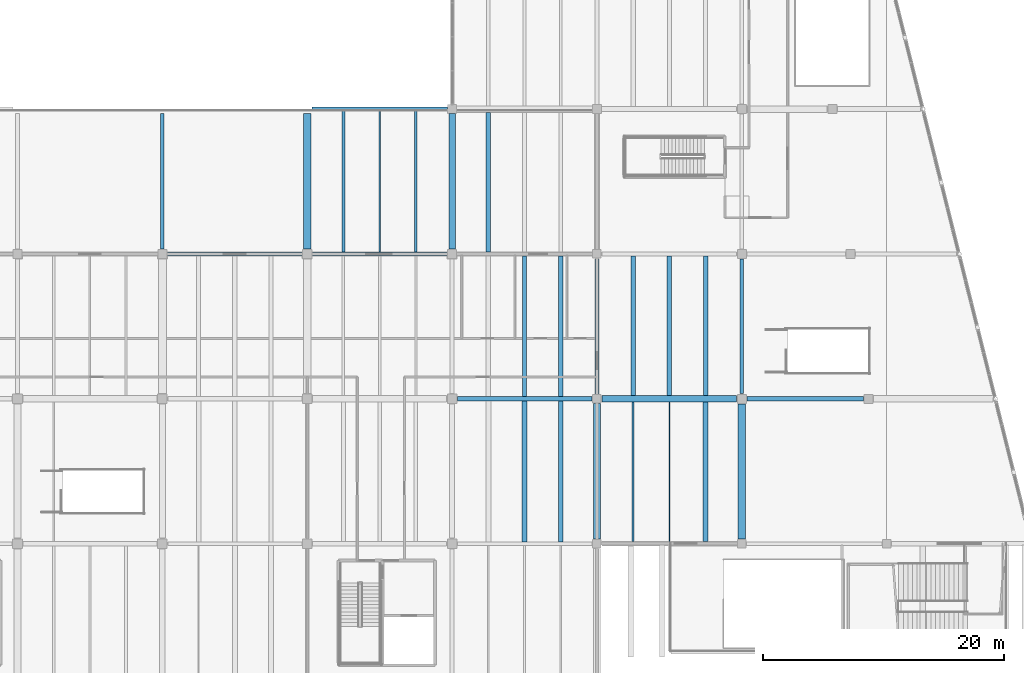
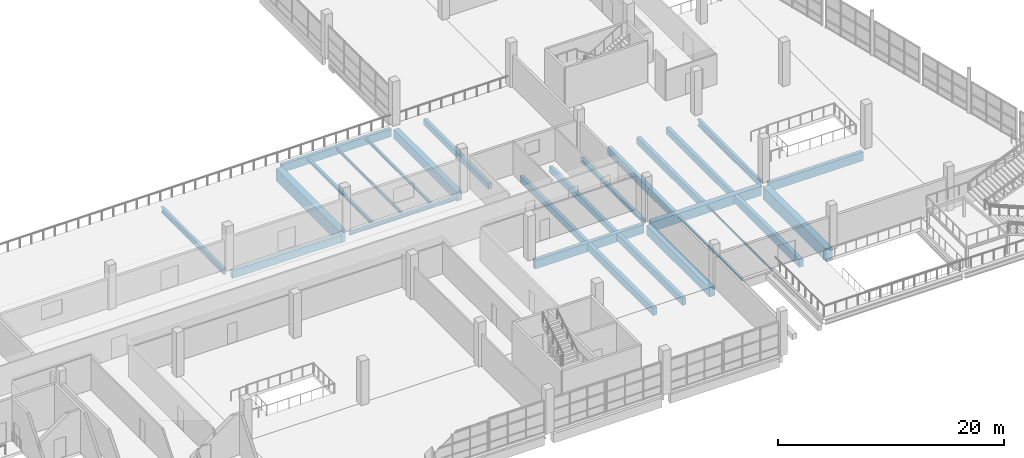
# One storey, part 36 of 112: 27 beams.
"""IFC4 building model written with IfcOpenShell, lengths in metres."""

from ifc_helpers import new_model, si_unit, direction, frame, origin, origin_2d, place, context, subcontext, project, spatial, rectangle, i_section, extrude, material, material_profile, profile_set, type_object, element, save


model = new_model("IFC4")

# Units and contexts
model_context = context("Model", 3, precision=1e-05, world=origin(), true_north=direction((0.0, 1.0)))
body_context = subcontext(model_context, "Body", "Model", "MODEL_VIEW")
ifc_project = project(units=[si_unit("LENGTHUNIT", "METRE"), si_unit("AREAUNIT", "SQUARE_METRE"), si_unit("VOLUMEUNIT", "CUBIC_METRE"), si_unit("PLANEANGLEUNIT", "RADIAN"), si_unit("MASSUNIT", "GRAM", prefix="KILO")], contexts=[model_context])

# Site, building, storey
site_placement = place(None, origin())
site = spatial("IfcSite", under=ifc_project, at=site_placement, CompositionType="ELEMENT")
building_placement = place(site_placement, origin())
building = spatial("IfcBuilding", under=site, at=building_placement, Name="Kamomehara Wholesale Market", CompositionType="ELEMENT")
storey_placement = place(building_placement, frame((0.0, 0.0, 6.60009765625)))
storey = spatial("IfcBuildingStorey", under=building, at=storey_placement, Name="L01", CompositionType="ELEMENT", Elevation=6.60009765625)

# Beams
ifc_material_1 = material(Name="Precast concrete Fc45 (C40/50)", Category="concrete")
ifc_material_profile_1 = material_profile(ifc_material_1, rectangle(XDim=0.64990234375, YDim=1.35009765625, at=origin_2d()), Name="PC-GRD-650x1350")
ifc_profile_set_1 = profile_set([ifc_material_profile_1], Name="Precast concrete Fc45 (C40/50)")
beam_type_1 = type_object("IfcBeamType", Name="BM-PG1350", PredefinedType="T_BEAM", material=ifc_profile_set_1)
beam_1_placement = place(storey_placement, frame((180.0, 24.39990234375, -1.027099609375), z_axis=(0.0, 1.0, 0.0), x_axis=(-1.0, 0.0, 0.0)))
element("IfcBeam", 1, at=beam_1_placement, inside=storey, type_object=beam_type_1, Name="Beam PG-03 L01", PredefinedType="T_BEAM", context=body_context, shape_type="SweptSolid", body=[
    extrude(rectangle(XDim=0.64990234375, YDim=1.35009765625, at=origin_2d()), origin(), (0.0, 0.0, 1.0), 11.175048828125),
])
beam_2_placement = place(storey_placement, frame((144.0, 48.425048828125, -1.022216796875), z_axis=(0.0, 1.0, 0.0), x_axis=(-1.0, 0.0, 0.0)))
element("IfcBeam", 2, at=beam_2_placement, inside=storey, type_object=beam_type_1, Name="Beam PG-03 L01", PredefinedType="T_BEAM", context=body_context, shape_type="SweptSolid", body=[
    extrude(rectangle(XDim=0.64990234375, YDim=1.35009765625, at=origin_2d()), origin(), (0.0, 0.0, 1.0), 11.199951171875),
])
ifc_material_2 = material(Name="Precast concrete Fc45 (C40/50)", Category="concrete")
ifc_material_profile_2 = material_profile(ifc_material_2, rectangle(XDim=0.35009765625, YDim=0.64990234375, at=origin_2d()), Name="PC-JST-350x650")
ifc_profile_set_2 = profile_set([ifc_material_profile_2], Name="Precast concrete Fc45 (C40/50)")
beam_type_2 = type_object("IfcBeamType", Name="BM-PJ650", PredefinedType="JOIST", material=ifc_profile_set_2)
beam_3_placement = place(storey_placement, frame((159.0, 48.175048828125, -0.672119140625), z_axis=(0.0, 1.0, 0.0), x_axis=(-1.0, 0.0, 0.0)))
element("IfcBeam", 3, at=beam_3_placement, inside=storey, type_object=beam_type_2, Name="Beam PJ-04 L01", PredefinedType="JOIST", context=body_context, shape_type="SweptSolid", body=[
    extrude(rectangle(XDim=0.35009765625, YDim=0.64990234375, at=origin_2d()), origin(), (0.0, 0.0, 1.0), 11.550048828125),
])
ifc_material_3 = material(Name="Precast concrete Fc45 (C40/50)", Category="concrete")
ifc_material_profile_3 = material_profile(ifc_material_3, rectangle(XDim=0.340087890625, YDim=0.679931640625, at=origin_2d()), Name="PC-JST-340x680")
ifc_profile_set_3 = profile_set([ifc_material_profile_3], Name="Precast concrete Fc45 (C40/50)")
beam_type_3 = type_object("IfcBeamType", Name="BM-PJ680", PredefinedType="JOIST", material=ifc_profile_set_3)
beam_4_placement = place(storey_placement, frame((165.0, 36.199951171875, -0.68212890625), z_axis=(0.0, 1.0, 0.0), x_axis=(-1.0, 0.0, 0.0)))
element("IfcBeam", 4, at=beam_4_placement, inside=storey, type_object=beam_type_3, Name="Beam PJ-09 L01", PredefinedType="JOIST", context=body_context, shape_type="SweptSolid", body=[
    extrude(rectangle(XDim=0.340087890625, YDim=0.679931640625, at=origin_2d()), origin(), (0.0, 0.0, 1.0), 11.625),
])
ifc_material_4 = material(Name="Precast concrete Fc45 (C40/50)", Category="concrete")
ifc_material_profile_4 = material_profile(ifc_material_4, rectangle(XDim=0.35009765625, YDim=0.699951171875, at=origin_2d()), Name="PC-JST-350x700")
ifc_profile_set_4 = profile_set([ifc_material_profile_4], Name="Precast concrete Fc45 (C40/50)")
beam_type_4 = type_object("IfcBeamType", Name="BM-PJ700", PredefinedType="JOIST", material=ifc_profile_set_4)
beam_5_placement = place(storey_placement, frame((162.0, 36.199951171875, -0.692138671875), z_axis=(0.0, 1.0, 0.0), x_axis=(-1.0, 0.0, 0.0)))
element("IfcBeam", 5, at=beam_5_placement, inside=storey, type_object=beam_type_4, Name="Beam PJ-03 L01", PredefinedType="JOIST", context=body_context, shape_type="SweptSolid", body=[
    extrude(rectangle(XDim=0.35009765625, YDim=0.699951171875, at=origin_2d()), origin(), (0.0, 0.0, 1.0), 11.625),
])
ifc_material_5 = material(Name="Precast concrete Fc45 (C40/50)", Category="concrete")
ifc_material_profile_5 = material_profile(ifc_material_5, rectangle(XDim=0.360107421875, YDim=0.719970703125, at=origin_2d()), Name="PC-JST-360x720")
ifc_profile_set_5 = profile_set([ifc_material_profile_5], Name="Precast concrete Fc45 (C40/50)")
beam_type_5 = type_object("IfcBeamType", Name="BM-PJ720", PredefinedType="JOIST", material=ifc_profile_set_5)
beam_6_placement = place(storey_placement, frame((177.0, 36.27490234375, -0.712158203125), z_axis=(0.0, 1.0, 0.0), x_axis=(-1.0, 0.0, 0.0)))
element("IfcBeam", 6, at=beam_6_placement, inside=storey, type_object=beam_type_5, Name="Beam PJ-08 L01", PredefinedType="JOIST", context=body_context, shape_type="SweptSolid", body=[
    extrude(rectangle(XDim=0.360107421875, YDim=0.719970703125, at=origin_2d()), origin(), (0.0, 0.0, 1.0), 11.5751953125),
])
ifc_material_6 = material(Name="Precast concrete Fc45 (C40/50)", Category="concrete")
ifc_material_profile_6 = material_profile(ifc_material_6, rectangle(XDim=0.3798828125, YDim=0.75, at=origin_2d()), Name="PC-JST-380x750")
ifc_profile_set_6 = profile_set([ifc_material_profile_6], Name="Precast concrete Fc45 (C40/50)")
beam_type_6 = type_object("IfcBeamType", Name="BM-PJ750", PredefinedType="JOIST", material=ifc_profile_set_6)
beam_7_placement = place(storey_placement, frame((165.0, 24.14990234375, -0.717041015625), z_axis=(0.0, 1.0, 0.0), x_axis=(-1.0, 0.0, 0.0)))
element("IfcBeam", 7, at=beam_7_placement, inside=storey, type_object=beam_type_6, Name="Beam PJ-02 L01", PredefinedType="JOIST", context=body_context, shape_type="SweptSolid", body=[
    extrude(rectangle(XDim=0.3798828125, YDim=0.75, at=origin_2d()), origin(), (0.0, 0.0, 1.0), 11.650146484375),
])
beam_8_placement = place(storey_placement, frame((174.0, 36.27490234375, -0.72705078125), z_axis=(0.0, 1.0, 0.0), x_axis=(-1.0, 0.0, 0.0)))
element("IfcBeam", 8, at=beam_8_placement, inside=storey, type_object=beam_type_6, Name="Beam PJ-02 L01", PredefinedType="JOIST", context=body_context, shape_type="SweptSolid", body=[
    extrude(rectangle(XDim=0.3798828125, YDim=0.75, at=origin_2d()), origin(), (0.0, 0.0, 1.0), 11.5751953125),
])
ifc_material_7 = material(Name="Precast concrete Fc45 (C40/50)", Category="concrete")
ifc_material_profile_7 = material_profile(ifc_material_7, rectangle(XDim=0.39990234375, YDim=0.800048828125, at=origin_2d()), Name="PC-JST-400x800")
ifc_profile_set_7 = profile_set([ifc_material_profile_7], Name="Precast concrete Fc45 (C40/50)")
beam_type_7 = type_object("IfcBeamType", Name="BM-PJ800", PredefinedType="JOIST", material=ifc_profile_set_7)
beam_9_placement = place(storey_placement, frame((162.0, 24.14990234375, -0.7421875), z_axis=(0.0, 1.0, 0.0), x_axis=(-1.0, 0.0, 0.0)))
element("IfcBeam", 9, at=beam_9_placement, inside=storey, type_object=beam_type_7, Name="Beam PJ-01 L01", PredefinedType="JOIST", context=body_context, shape_type="SweptSolid", body=[
    extrude(rectangle(XDim=0.39990234375, YDim=0.800048828125, at=origin_2d()), origin(), (0.0, 0.0, 1.0), 11.650146484375),
])
beam_10_placement = place(storey_placement, frame((171.0, 36.27490234375, -0.752197265625), z_axis=(0.0, 1.0, 0.0), x_axis=(-1.0, 0.0, 0.0)))
element("IfcBeam", 10, at=beam_10_placement, inside=storey, type_object=beam_type_7, Name="Beam PJ-01 L01", PredefinedType="JOIST", context=body_context, shape_type="SweptSolid", body=[
    extrude(rectangle(XDim=0.39990234375, YDim=0.800048828125, at=origin_2d()), origin(), (0.0, 0.0, 1.0), 11.5751953125),
])
ifc_material_8 = material(Name="Precast concrete Fc45 (C40/50)", Category="concrete")
ifc_material_profile_8 = material_profile(ifc_material_8, rectangle(XDim=0.419921875, YDim=0.840087890625, at=origin_2d()), Name="PC-JST-420x840")
ifc_profile_set_8 = profile_set([ifc_material_profile_8], Name="Precast concrete Fc45 (C40/50)")
beam_type_8 = type_object("IfcBeamType", Name="BM-PJ840", PredefinedType="JOIST", material=ifc_profile_set_8)
beam_11_placement = place(storey_placement, frame((177.0, 24.175048828125, -0.772216796875), z_axis=(0.0, 1.0, 0.0), x_axis=(-1.0, 0.0, 0.0)))
element("IfcBeam", 11, at=beam_11_placement, inside=storey, type_object=beam_type_8, Name="Beam PJ-07 L01", PredefinedType="JOIST", context=body_context, shape_type="SweptSolid", body=[
    extrude(rectangle(XDim=0.419921875, YDim=0.840087890625, at=origin_2d()), origin(), (0.0, 0.0, 1.0), 11.550048828125),
])
ifc_material_9 = material(Name="Concrete Fc36 (C35/45)", Category="concrete")
ifc_material_profile_9 = material_profile(ifc_material_9, rectangle(XDim=0.550048828125, YDim=1.0, at=origin_2d()), Name="RC-SEB-550x1000")
ifc_profile_set_9 = profile_set([ifc_material_profile_9], Name="Concrete Fc36 (C35/45)")
beam_type_9 = type_object("IfcBeamType", Name="BM-SEB1000-EXT", PredefinedType="SPANDREL", material=ifc_profile_set_9)
beam_12_placement = place(storey_placement, frame((168.0, 24.39990234375, -0.85205078125), z_axis=(0.0, 1.0, 0.0), x_axis=(-1.0, 0.0, 0.0)))
element("IfcBeam", 12, at=beam_12_placement, inside=storey, type_object=beam_type_9, Name="Beam SEB-03E L01", PredefinedType="SPANDREL", context=body_context, shape_type="SweptSolid", body=[
    extrude(rectangle(XDim=0.550048828125, YDim=1.0, at=origin_2d()), origin(), (0.0, 0.0, 1.0), 11.2001953125),
])
beam_13_placement = place(storey_placement, frame((168.39990234375, 36.0, -0.85205078125), z_axis=(1.0, 0.0, 0.0), x_axis=(0.0, 1.0, 0.0)))
element("IfcBeam", 13, at=beam_13_placement, inside=storey, type_object=beam_type_9, Name="Beam SEB-03E L01", PredefinedType="SPANDREL", context=body_context, shape_type="SweptSolid", body=[
    extrude(rectangle(XDim=0.550048828125, YDim=1.0, at=origin_2d()), origin(), (0.0, 0.0, 1.0), 11.175048828125),
])
beam_14_placement = place(storey_placement, frame((156.0, 48.425048828125, -0.84716796875), z_axis=(0.0, 1.0, 0.0), x_axis=(-1.0, 0.0, 0.0)))
element("IfcBeam", 14, at=beam_14_placement, inside=storey, type_object=beam_type_9, Name="Beam SEB-03E L01", PredefinedType="SPANDREL", context=body_context, shape_type="SweptSolid", body=[
    extrude(rectangle(XDim=0.550048828125, YDim=1.0, at=origin_2d()), origin(), (0.0, 0.0, 1.0), 11.199951171875),
])
ifc_material_10 = material(Name="Precast concrete Fc45 (C40/50)", Category="concrete")
ifc_material_profile_10 = material_profile(ifc_material_10, rectangle(XDim=0.35009765625, YDim=0.85009765625, at=origin_2d()), Name="PC-SPN-350x850")
ifc_profile_set_10 = profile_set([ifc_material_profile_10], Name="Precast concrete Fc45 (C40/50)")
beam_type_10 = type_object("IfcBeamType", Name="BM-SPN850-EXT", PredefinedType="SPANDREL", material=ifc_profile_set_10)
beam_15_placement = place(storey_placement, frame((132.425048828125, 48.0, -0.772216796875), z_axis=(1.0, 0.0, 0.0), x_axis=(0.0, 1.0, 0.0)))
element("IfcBeam", 15, at=beam_15_placement, inside=storey, type_object=beam_type_10, Name="Beam SPN-02E L01", PredefinedType="SPANDREL", context=body_context, shape_type="SweptSolid", body=[
    extrude(rectangle(XDim=0.35009765625, YDim=0.85009765625, at=origin_2d()), origin(), (0.0, 0.0, 1.0), 11.14990234375),
])
beam_16_placement = place(storey_placement, frame((144.375, 60.0, -0.772216796875), z_axis=(1.0, 0.0, 0.0), x_axis=(0.0, 1.0, 0.0)))
element("IfcBeam", 16, at=beam_16_placement, inside=storey, type_object=beam_type_10, Name="Beam SPN-02E L01", PredefinedType="SPANDREL", context=body_context, shape_type="SweptSolid", body=[
    extrude(rectangle(XDim=0.35009765625, YDim=0.85009765625, at=origin_2d()), origin(), (0.0, 0.0, 1.0), 11.25),
])
ifc_material_11 = material(Name="Precast concrete Fc45 (C40/50)", Category="concrete")
ifc_material_profile_11 = material_profile(ifc_material_11, rectangle(XDim=0.39990234375, YDim=0.949951171875, at=origin_2d()), Name="PC-SPN-400x950")
ifc_profile_set_11 = profile_set([ifc_material_profile_11], Name="Precast concrete Fc45 (C40/50)")
beam_type_11 = type_object("IfcBeamType", Name="BM-SPN950-EXT", PredefinedType="SPANDREL", material=ifc_profile_set_11)
beam_17_placement = place(storey_placement, frame((156.449951171875, 36.0, -0.817138671875), z_axis=(1.0, 0.0, 0.0), x_axis=(0.0, 1.0, 0.0)))
element("IfcBeam", 17, at=beam_17_placement, inside=storey, type_object=beam_type_11, Name="Beam SPN-01E L01", PredefinedType="SPANDREL", context=body_context, shape_type="SweptSolid", body=[
    extrude(rectangle(XDim=0.39990234375, YDim=0.949951171875, at=origin_2d()), origin(), (0.0, 0.0, 1.0), 11.150146484375),
])
beam_18_placement = place(storey_placement, frame((180.425048828125, 36.0, -0.8271484375), z_axis=(1.0, 0.0, 0.0), x_axis=(0.0, 1.0, 0.0)))
element("IfcBeam", 18, at=beam_18_placement, inside=storey, type_object=beam_type_11, Name="Beam SPN-01E L01", PredefinedType="SPANDREL", context=body_context, shape_type="SweptSolid", body=[
    extrude(rectangle(XDim=0.39990234375, YDim=0.949951171875, at=origin_2d()), origin(), (0.0, 0.0, 1.0), 9.64990234375),
])
ifc_material_12 = material(Name="Steel SN400B", Category="steel")
ifc_material_profile_12 = material_profile(ifc_material_12, i_section(OverallWidth=0.10009765625, OverallDepth=0.199951171875, WebThickness=0.005615234375, FlangeThickness=0.008056640625, FilletRadius=0.008056640625, at=origin_2d()), Name="H-200x100x5.5x8")
ifc_profile_set_12 = profile_set([ifc_material_profile_12], Name="Steel SN400B")
beam_type_12 = type_object("IfcBeamType", Name="BM-ST-H200", PredefinedType="LINTEL", material=ifc_profile_set_12)
beam_19_placement = place(storey_placement, frame((174.0, 24.175048828125, -0.4521484375), z_axis=(0.0, 1.0, 0.0), x_axis=(-1.0, 0.0, 0.0)))
element("IfcBeam", 19, at=beam_19_placement, inside=storey, type_object=beam_type_12, Name="Beam SJ-07 L01", PredefinedType="LINTEL", context=body_context, shape_type="SweptSolid", body=[
    extrude(i_section(OverallWidth=0.10009765625, OverallDepth=0.199951171875, WebThickness=0.005615234375, FlangeThickness=0.008056640625, FilletRadius=0.008056640625, at=origin_2d()), origin(), (0.0, 0.0, 1.0), 11.550048828125),
])
ifc_material_13 = material(Name="Steel SN400B", Category="steel")
ifc_material_profile_13 = material_profile(ifc_material_13, i_section(OverallWidth=0.175048828125, OverallDepth=0.243896484375, WebThickness=0.007080078125, FlangeThickness=0.010986328125, FilletRadius=0.010986328125, at=origin_2d()), Name="H-244x175x7x11")
ifc_profile_set_13 = profile_set([ifc_material_profile_13], Name="Steel SN400B")
beam_type_13 = type_object("IfcBeamType", Name="BM-ST-H244", PredefinedType="JOIST", material=ifc_profile_set_13)
beam_20_placement = place(storey_placement, frame((171.0, 24.175048828125, -0.47412109375), z_axis=(0.0, 1.0, 0.0), x_axis=(-1.0, 0.0, 0.0)))
element("IfcBeam", 20, at=beam_20_placement, inside=storey, type_object=beam_type_13, Name="Beam SJ-10 L01", PredefinedType="JOIST", context=body_context, shape_type="SweptSolid", body=[
    extrude(i_section(OverallWidth=0.175048828125, OverallDepth=0.243896484375, WebThickness=0.007080078125, FlangeThickness=0.010986328125, FilletRadius=0.010986328125, at=origin_2d()), origin(), (0.0, 0.0, 1.0), 11.550048828125),
])
ifc_material_14 = material(Name="Steel SN400B", Category="steel")
ifc_material_profile_14 = material_profile(ifc_material_14, i_section(OverallWidth=0.199951171875, OverallDepth=0.2939453125, WebThickness=0.008056640625, FlangeThickness=0.011962890625, FilletRadius=0.012939453125, at=origin_2d()), Name="H-294x200x8x12")
ifc_profile_set_14 = profile_set([ifc_material_profile_14], Name="Steel SN400B")
beam_type_14 = type_object("IfcBeamType", Name="BM-ST-H294", PredefinedType="JOIST", material=ifc_profile_set_14)
beam_21_placement = place(storey_placement, frame((153.0, 48.14990234375, -0.494140625), z_axis=(0.0, 1.0, 0.0), x_axis=(-1.0, 0.0, 0.0)))
element("IfcBeam", 21, at=beam_21_placement, inside=storey, type_object=beam_type_14, Name="Beam SJ-09 L01", PredefinedType="JOIST", context=body_context, shape_type="SweptSolid", body=[
    extrude(i_section(OverallWidth=0.199951171875, OverallDepth=0.2939453125, WebThickness=0.008056640625, FlangeThickness=0.011962890625, FilletRadius=0.012939453125, at=origin_2d()), origin(), (0.0, 0.0, 1.0), 11.675048828125),
])
ifc_material_15 = material(Name="Steel SN400B", Category="steel")
ifc_material_profile_15 = material_profile(ifc_material_15, i_section(OverallWidth=0.14990234375, OverallDepth=0.300048828125, WebThickness=0.006591796875, FlangeThickness=0.009033203125, FilletRadius=0.012939453125, at=origin_2d()), Name="H-300x150x6.5x9")
ifc_profile_set_15 = profile_set([ifc_material_profile_15], Name="Steel SN400B")
beam_type_15 = type_object("IfcBeamType", Name="BM-ST-H300", PredefinedType="JOIST", material=ifc_profile_set_15)
beam_22_placement = place(storey_placement, frame((150.0, 48.14990234375, -0.4970703125), z_axis=(0.0, 1.0, 0.0), x_axis=(-1.0, 0.0, 0.0)))
element("IfcBeam", 22, at=beam_22_placement, inside=storey, type_object=beam_type_15, Name="Beam SJ-05 L01", PredefinedType="JOIST", context=body_context, shape_type="SweptSolid", body=[
    extrude(i_section(OverallWidth=0.14990234375, OverallDepth=0.300048828125, WebThickness=0.006591796875, FlangeThickness=0.009033203125, FilletRadius=0.012939453125, at=origin_2d()), origin(), (0.0, 0.0, 1.0), 11.675048828125),
])
ifc_material_16 = material(Name="Steel SN490B", Category="steel")
ifc_material_profile_16 = material_profile(ifc_material_16, i_section(OverallWidth=0.25, OverallDepth=0.340087890625, WebThickness=0.009033203125, FlangeThickness=0.013916015625, FilletRadius=0.012939453125, at=origin_2d()), Name="H-340x250x9x14")
ifc_profile_set_16 = profile_set([ifc_material_profile_16], Name="Steel SN490B")
beam_type_16 = type_object("IfcBeamType", Name="BM-ST-H340", PredefinedType="JOIST", material=ifc_profile_set_16)
beam_23_placement = place(storey_placement, frame((147.0, 48.14990234375, -0.51708984375), z_axis=(0.0, 1.0, 0.0), x_axis=(-1.0, 0.0, 0.0)))
element("IfcBeam", 23, at=beam_23_placement, inside=storey, type_object=beam_type_16, Name="Beam SJ-08 L01", PredefinedType="JOIST", context=body_context, shape_type="SweptSolid", body=[
    extrude(i_section(OverallWidth=0.25, OverallDepth=0.340087890625, WebThickness=0.009033203125, FlangeThickness=0.013916015625, FilletRadius=0.012939453125, at=origin_2d()), origin(), (0.0, 0.0, 1.0), 11.675048828125),
])
ifc_material_17 = material(Name="Steel SN490B", Category="steel")
ifc_material_profile_17 = material_profile(ifc_material_17, i_section(OverallWidth=0.300048828125, OverallDepth=0.389892578125, WebThickness=0.010009765625, FlangeThickness=0.01611328125, FilletRadius=0.01806640625, at=origin_2d()), Name="H-390x300x10x16")
ifc_profile_set_17 = profile_set([ifc_material_profile_17], Name="Steel SN490B")
beam_type_17 = type_object("IfcBeamType", Name="BM-ST-H390-EXT", PredefinedType="SPANDREL", material=ifc_profile_set_17)
beam_24_placement = place(storey_placement, frame((168.0, 36.39990234375, -0.547119140625), z_axis=(0.0, 1.0, 0.0), x_axis=(-1.0, 0.0, 0.0)))
element("IfcBeam", 24, at=beam_24_placement, inside=storey, type_object=beam_type_17, Name="Beam SJ-03E L01", PredefinedType="SPANDREL", context=body_context, shape_type="SweptSolid", body=[
    extrude(i_section(OverallWidth=0.300048828125, OverallDepth=0.389892578125, WebThickness=0.010009765625, FlangeThickness=0.01611328125, FilletRadius=0.01806640625, at=origin_2d()), origin(), (0.0, 0.0, 1.0), 11.2001953125),
])
beam_25_placement = place(storey_placement, frame((144.425048828125, 48.0, -0.5419921875), z_axis=(1.0, 0.0, 0.0), x_axis=(0.0, 1.0, 0.0)))
element("IfcBeam", 25, at=beam_25_placement, inside=storey, type_object=beam_type_17, Name="Beam SJ-03E L01", PredefinedType="SPANDREL", context=body_context, shape_type="SweptSolid", body=[
    extrude(i_section(OverallWidth=0.300048828125, OverallDepth=0.389892578125, WebThickness=0.010009765625, FlangeThickness=0.01611328125, FilletRadius=0.01806640625, at=origin_2d()), origin(), (0.0, 0.0, 1.0), 11.14990234375),
])
ifc_material_18 = material(Name="Steel SN490B", Category="steel")
ifc_material_profile_18 = material_profile(ifc_material_18, i_section(OverallWidth=0.300048828125, OverallDepth=0.58203125, WebThickness=0.011962890625, FlangeThickness=0.01708984375, FilletRadius=0.02197265625, at=origin_2d()), Name="H-582x300x12x17")
ifc_profile_set_18 = profile_set([ifc_material_profile_18], Name="Steel SN490B")
beam_type_18 = type_object("IfcBeamType", Name="BM-ST-H582", PredefinedType="BEAM", material=ifc_profile_set_18)
beam_26_placement = place(storey_placement, frame((132.0, 48.425048828125, -0.63818359375), z_axis=(0.0, 1.0, 0.0), x_axis=(-1.0, 0.0, 0.0)))
element("IfcBeam", 26, at=beam_26_placement, inside=storey, type_object=beam_type_18, Name="Beam SG-10 L01", PredefinedType="BEAM", context=body_context, shape_type="SweptSolid", body=[
    extrude(i_section(OverallWidth=0.300048828125, OverallDepth=0.58203125, WebThickness=0.011962890625, FlangeThickness=0.01708984375, FilletRadius=0.02197265625, at=origin_2d()), origin(), (0.0, 0.0, 1.0), 11.199951171875),
])
ifc_material_19 = material(Name="Steel SN490B", Category="steel")
ifc_material_profile_19 = material_profile(ifc_material_19, i_section(OverallWidth=0.300048828125, OverallDepth=0.699951171875, WebThickness=0.012939453125, FlangeThickness=0.02392578125, FilletRadius=0.02197265625, at=origin_2d()), Name="H-700x300x13x24")
ifc_profile_set_19 = profile_set([ifc_material_profile_19], Name="Steel SN490B")
beam_type_19 = type_object("IfcBeamType", Name="BM-ST-H700", PredefinedType="BEAM", material=ifc_profile_set_19)
beam_27_placement = place(storey_placement, frame((180.0, 36.425048828125, -0.7021484375), z_axis=(0.0, 1.0, 0.0), x_axis=(-1.0, 0.0, 0.0)))
element("IfcBeam", 27, at=beam_27_placement, inside=storey, type_object=beam_type_19, Name="Beam SG-03 L01", PredefinedType="BEAM", context=body_context, shape_type="SweptSolid", body=[
    extrude(i_section(OverallWidth=0.300048828125, OverallDepth=0.699951171875, WebThickness=0.012939453125, FlangeThickness=0.02392578125, FilletRadius=0.02197265625, at=origin_2d()), origin(), (0.0, 0.0, 1.0), 11.14990234375),
])

save(model, "model.ifc")
